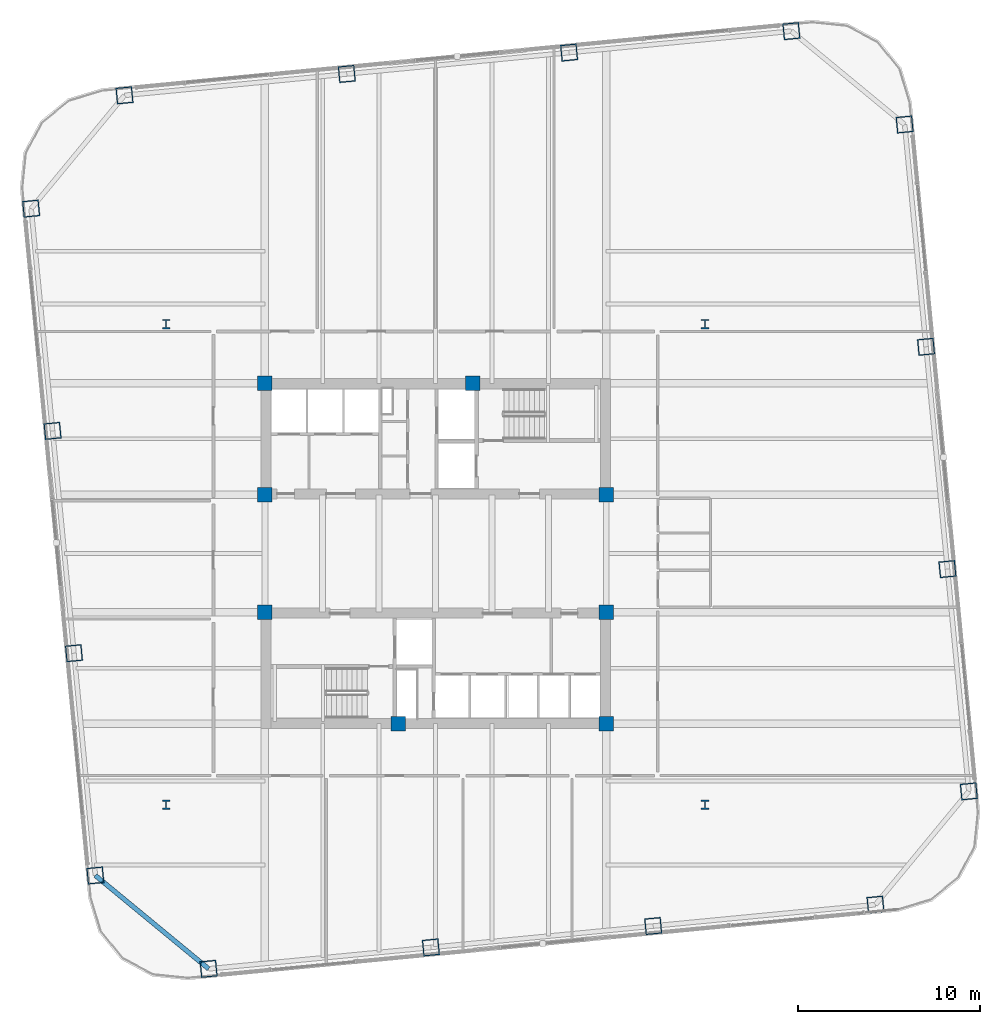
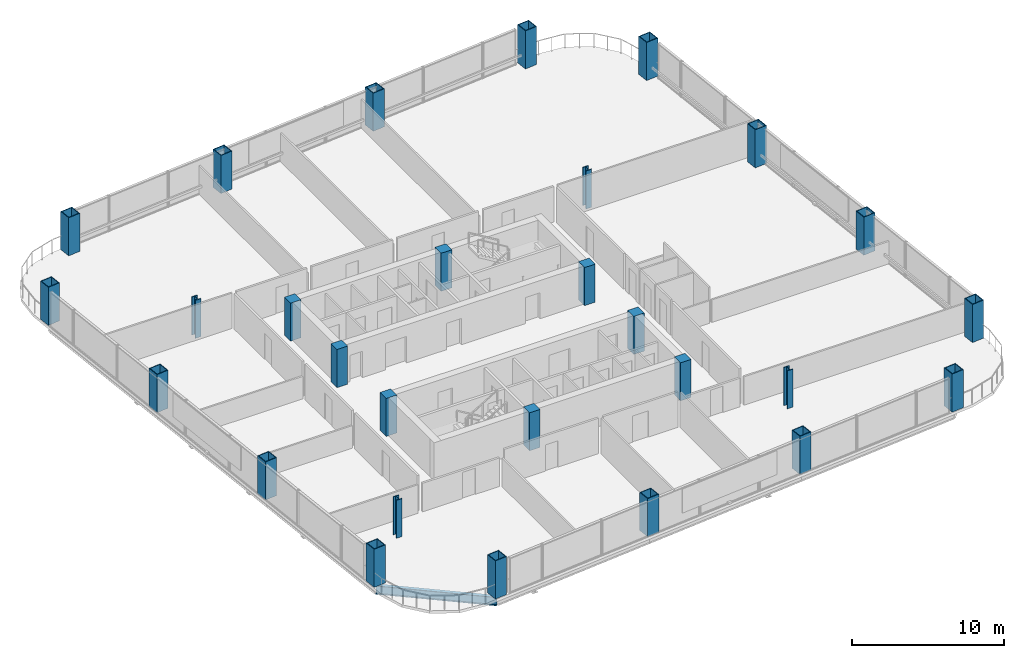
# One storey, part 1 of 32: 28 columns, 1 beam.
"""IFC4 building model written with IfcOpenShell, lengths in metres."""

from ifc_helpers import new_model, si_unit, direction, frame, origin, origin_2d, place, context, subcontext, project, spatial, rectangle, hollow_rectangle, i_section, extrude, material, material_profile, profile_set, type_object, element, save


model = new_model("IFC4")

# Units and contexts
model_context = context("Model", 3, precision=1e-05, world=origin(), true_north=direction((0.0, 1.0)))
body_context = subcontext(model_context, "Body", "Model", "MODEL_VIEW")
ifc_project = project(units=[si_unit("LENGTHUNIT", "METRE"), si_unit("AREAUNIT", "SQUARE_METRE"), si_unit("VOLUMEUNIT", "CUBIC_METRE"), si_unit("PLANEANGLEUNIT", "RADIAN"), si_unit("MASSUNIT", "GRAM", prefix="KILO")], contexts=[model_context])

# Site, building, storey
site_placement = place(None, origin())
site = spatial("IfcSite", under=ifc_project, at=site_placement, CompositionType="ELEMENT")
building_placement = place(site_placement, origin())
building = spatial("IfcBuilding", under=site, at=building_placement, Name="Qhalaya Broadcast Tower", CompositionType="ELEMENT")
storey_placement = place(building_placement, frame((0.0, 0.0, 87.75)))
storey = spatial("IfcBuildingStorey", under=building, at=storey_placement, Name="L25", CompositionType="ELEMENT", Elevation=87.75)

# Columns
ifc_material_1 = material(Name="Concrete C50/60", Category="concrete")
ifc_material_profile_1 = material_profile(ifc_material_1, rectangle(XDim=0.800048828125, YDim=0.800048828125, at=origin_2d()), Name="RC-COL 800x800")
ifc_profile_set_1 = profile_set([ifc_material_profile_1], Name="Concrete C50/60")
column_type_1 = type_object("IfcColumnType", Name="RC Upper Column C10", PredefinedType="COLUMN", material=ifc_profile_set_1)
for number, where, z_axis, x_axis, name in (
    (1, (-9.375, 9.949951171875, 0.0), (0.0, 0.0, 1.0), (1.0, 0.0, 0.0), "L25 Column COL-CC1"),
    (2, (2.050048828125, 9.949951171875, 0.0), (0.0, 0.0, 1.0), (1.0, 0.0, 0.0), "L25 Column COL-CC2"),
    (3, (-9.375, 3.824951171875, 0.0), (0.0, 0.0, 1.0), (1.0, 0.0, 0.0), "L25 Column COL-CC3"),
    (4, (9.375, 3.824951171875, 0.0), (0.0, 0.0, 1.0), (1.0, 0.0, 0.0), "L25 Column COL-CC4"),
    (5, (-9.375, -2.625, 0.0), (0.0, 0.0, 1.0), (1.0, 0.0, 0.0), "L25 Column COL-CC5"),
    (6, (9.375, -2.625, 0.0), (0.0, 0.0, 1.0), (1.0, 0.0, 0.0), "L25 Column COL-CC6"),
    (7, (-2.050048828125, -8.75, 0.0), (0.0, 0.0, 1.0), (1.0, 0.0, 0.0), "L25 Column COL-CC7"),
    (8, (9.375, -8.75, 0.0), (0.0, 0.0, 1.0), (1.0, 0.0, 0.0), "L25 Column COL-CC8"),
):
    element("IfcColumn", number, at=place(storey_placement, frame(where, z_axis=z_axis, x_axis=x_axis)), inside=storey, type_object=column_type_1, Name=name, PredefinedType="COLUMN", context=body_context, shape_type="SweptSolid", body=[
        extrude(rectangle(XDim=0.800048828125, YDim=0.800048828125, at=origin_2d()), origin(), (0.0, 0.0, 1.0), 3.050048828125),
    ])
ifc_material_2 = material(Name="Structural Steel ASTM A992 Grade 50", Category="steel")
ifc_material_profile_2 = material_profile(ifc_material_2, i_section(OverallWidth=0.41796875, OverallDepth=0.510009765625, WebThickness=0.0419921875, FlangeThickness=0.067626953125, at=origin_2d()), Name="W14X370")
ifc_profile_set_2 = profile_set([ifc_material_profile_2], Name="Structural Steel ASTM A992 Grade 50")
column_type_2 = type_object("IfcColumnType", Name="Rolled Gravity Column C06", PredefinedType="COLUMN", material=ifc_profile_set_2)
for number, where, z_axis, x_axis, name in (
    (9, (-14.800048828125, -13.199951171875, 0.0), (0.0, 0.0, 1.0), (1.0, 0.0, 0.0), "L25 Column COL-GR1"),
    (10, (14.800048828125, -13.199951171875, 0.0), (0.0, 0.0, 1.0), (1.0, 0.0, 0.0), "L25 Column COL-GR2"),
    (11, (-14.800048828125, 13.199951171875, 0.0), (0.0, 0.0, 1.0), (1.0, 0.0, 0.0), "L25 Column COL-GR3"),
    (12, (14.800048828125, 13.199951171875, 0.0), (0.0, 0.0, 1.0), (1.0, 0.0, 0.0), "L25 Column COL-GR4"),
):
    element("IfcColumn", number, at=place(storey_placement, frame(where, z_axis=z_axis, x_axis=x_axis)), inside=storey, type_object=column_type_2, Name=name, PredefinedType="COLUMN", context=body_context, shape_type="SweptSolid", body=[
        extrude(i_section(OverallWidth=0.41796875, OverallDepth=0.510009765625, WebThickness=0.0419921875, FlangeThickness=0.067626953125, at=origin_2d()), origin(), (0.0, 0.0, 1.0), 3.050048828125),
    ])
ifc_material_3 = material(Name="Structural Steel ASTM A572 Grade 50", Category="steel")
ifc_material_profile_3 = material_profile(ifc_material_3, hollow_rectangle(XDim=0.89990234375, YDim=0.89990234375, WallThickness=0.054931640625, at=origin_2d()), Name="BOX 900x900x55")
ifc_profile_set_3 = profile_set([ifc_material_profile_3], Name="Structural Steel ASTM A572 Grade 50")
column_type_3 = type_object("IfcColumnType", Name="Steel Box Column C02", PredefinedType="COLUMN", material=ifc_profile_set_3)
for number, where, z_axis, x_axis, name in (
    (13, (-12.46533203125, -22.212646484375, 0.0), (0.0, 0.0, 1.0), (0.995396198367, 0.09584575252, 0.0), "L25 Column COL-EX01"),
    (14, (-0.255126953125, -21.036865234375, 0.0), (0.0, 0.0, 1.0), (0.995396198367, 0.09584575252, 0.0), "L25 Column COL-EX02"),
    (15, (11.955078125, -19.861083984375, 0.0), (0.0, 0.0, 1.0), (0.995396198367, 0.09584575252, 0.0), "L25 Column COL-EX03"),
    (16, (24.165283203125, -18.685546875, 0.0), (0.0, 0.0, 1.0), (0.995396198367, 0.09584575252, 0.0), "L25 Column COL-EX04"),
    (17, (29.29248046875, -12.46533203125, 0.0), (0.0, 0.0, 1.0), (-0.09584575252, 0.995396198367, 0.0), "L25 Column COL-EX05"),
    (18, (28.116943359375, -0.255126953125, 0.0), (0.0, 0.0, 1.0), (-0.09584575252, 0.995396198367, 0.0), "L25 Column COL-EX06"),
    (19, (26.941162109375, 11.955078125, 0.0), (0.0, 0.0, 1.0), (-0.09584575252, 0.995396198367, 0.0), "L25 Column COL-EX07"),
    (20, (25.765380859375, 24.165283203125, 0.0), (0.0, 0.0, 1.0), (-0.09584575252, 0.995396198367, 0.0), "L25 Column COL-EX08"),
    (21, (19.54541015625, 29.29248046875, 0.0), (0.0, 0.0, 1.0), (0.995396198367, 0.09584575252, 0.0), "L25 Column COL-EX09"),
    (22, (7.335205078125, 28.116943359375, 0.0), (0.0, 0.0, 1.0), (0.995396198367, 0.09584575252, 0.0), "L25 Column COL-EX10"),
    (23, (-4.875, 26.941162109375, 0.0), (0.0, 0.0, 1.0), (0.995396198367, 0.09584575252, 0.0), "L25 Column COL-EX11"),
    (24, (-17.085205078125, 25.765380859375, 0.0), (0.0, 0.0, 1.0), (0.995396198367, 0.09584575252, 0.0), "L25 Column COL-EX12"),
    (25, (-22.212646484375, 19.54541015625, 0.0), (0.0, 0.0, 1.0), (-0.09584575252, 0.995396198367, 0.0), "L25 Column COL-EX13"),
    (26, (-21.036865234375, 7.335205078125, 0.0), (0.0, 0.0, 1.0), (-0.09584575252, 0.995396198367, 0.0), "L25 Column COL-EX14"),
    (27, (-19.861083984375, -4.875, 0.0), (0.0, 0.0, 1.0), (-0.09584575252, 0.995396198367, 0.0), "L25 Column COL-EX15"),
    (28, (-18.685546875, -17.085205078125, 0.0), (0.0, 0.0, 1.0), (-0.09584575252, 0.995396198367, 0.0), "L25 Column COL-EX16"),
):
    element("IfcColumn", number, at=place(storey_placement, frame(where, z_axis=z_axis, x_axis=x_axis)), inside=storey, type_object=column_type_3, Name=name, PredefinedType="COLUMN", context=body_context, shape_type="SweptSolid", body=[
        extrude(hollow_rectangle(XDim=0.89990234375, YDim=0.89990234375, WallThickness=0.054931640625, at=origin_2d()), origin(), (0.0, 0.0, 1.0), 3.050048828125),
    ])

# Beam
ifc_material_profile_4 = material_profile(ifc_material_2, i_section(OverallWidth=0.25390625, OverallDepth=0.68310546875, WebThickness=0.012451171875, FlangeThickness=0.01904296875, at=origin_2d()), Name="W27X94")
ifc_profile_set_4 = profile_set([ifc_material_profile_4], Name="Structural Steel ASTM A992 Grade 50")
beam_type = type_object("IfcBeamType", Name="Perimeter Ring Spandrel Beam SP1", PredefinedType="SPANDREL", material=ifc_profile_set_4)
beam_placement = place(storey_placement, frame((-18.685546875, -17.085205078125, -0.5615234375), z_axis=(0.771631160126, -0.636070241972, 0.0), x_axis=(0.636070241972, 0.771631160126, 0.0)))
element("IfcBeam", 29, at=beam_placement, inside=storey, type_object=beam_type, Name="L25 SP1 L25-SPR-16", PredefinedType="SPANDREL", context=body_context, shape_type="SweptSolid", body=[
    extrude(i_section(OverallWidth=0.25390625, OverallDepth=0.68310546875, WebThickness=0.012451171875, FlangeThickness=0.01904296875, at=origin_2d()), origin(), (0.0, 0.0, 1.0), 8.06103515625),
])

save(model, "model.ifc")
